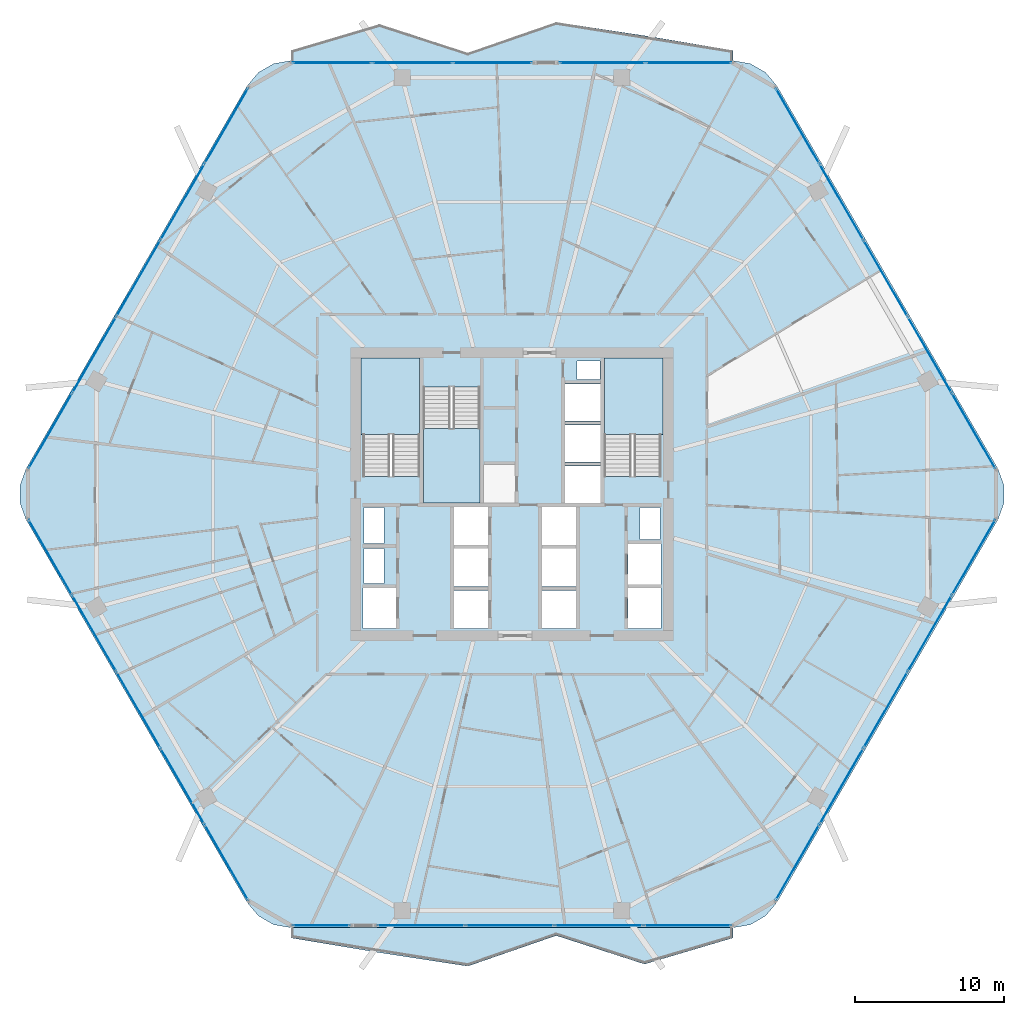
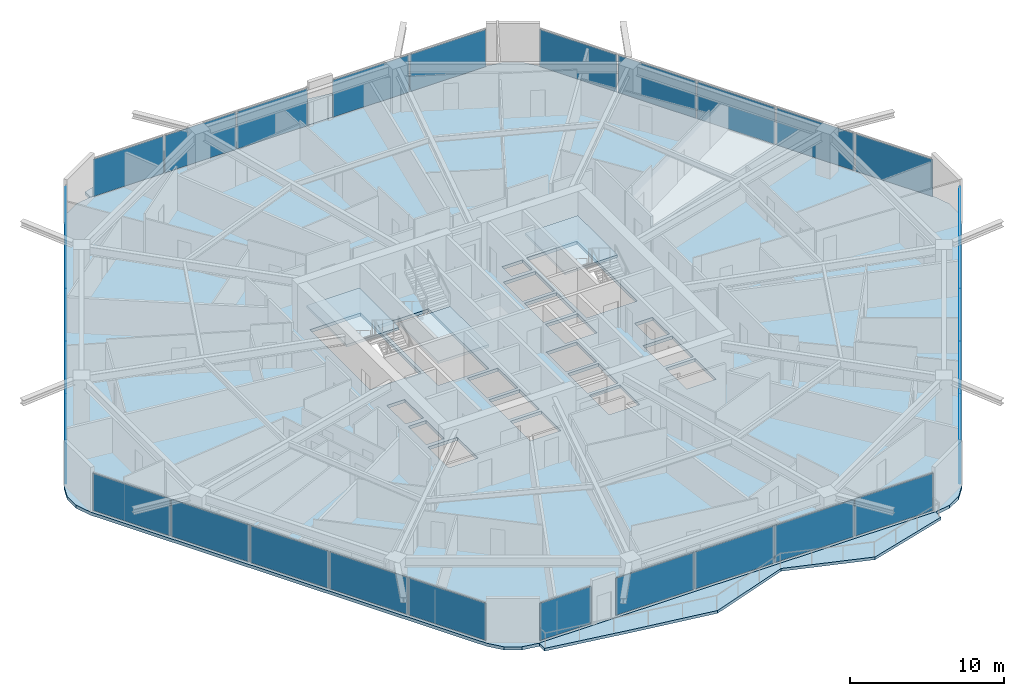
# One storey, part 23 of 33: 30 plates, 6 slabs, 11 elements without a shape of their own.
"""IFC4 building model written with IfcOpenShell, lengths in metres."""

from ifc_helpers import new_model, si_unit, direction, frame, origin, origin_2d, place, context, subcontext, project, spatial, polyline, rectangle, outline, extrude, material, layer, layer_set, type_object, element, aggregate, save


model = new_model("IFC4")

# Units and contexts
model_context = context("Model", 3, precision=1e-05, world=origin(), true_north=direction((0.0, 1.0)))
body_context = subcontext(model_context, "Body", "Model", "MODEL_VIEW")
ifc_project = project(units=[si_unit("LENGTHUNIT", "METRE"), si_unit("AREAUNIT", "SQUARE_METRE"), si_unit("VOLUMEUNIT", "CUBIC_METRE"), si_unit("PLANEANGLEUNIT", "RADIAN"), si_unit("MASSUNIT", "GRAM", prefix="KILO")], contexts=[model_context])

# Site, building, storey
site_placement = place(None, origin())
site = spatial("IfcSite", under=ifc_project, at=site_placement, CompositionType="ELEMENT")
building_placement = place(site_placement, origin())
building = spatial("IfcBuilding", under=site, at=building_placement, Name="Zuhravey Tower", CompositionType="ELEMENT")
storey_placement = place(building_placement, frame((0.0, 0.0, 103.800048828125)))
storey = spatial("IfcBuildingStorey", under=building, at=storey_placement, Name="L25", CompositionType="ELEMENT", Elevation=103.800048828125)

# Slabs
ifc_material_1 = material(Name="Concrete C50/60", Category="concrete")
ifc_layer_1 = layer(ifc_material_1, 0.25)
ifc_layer_set_1 = layer_set([ifc_layer_1], Name="Concrete C50/60")
slab_type_1 = type_object("IfcSlabType", Name="Residential Acoustic Slab 250", PredefinedType="FLOOR", material=ifc_layer_set_1)
slab_1_placement = place(storey_placement, frame((0.0, 0.0, -0.25)))
element("IfcSlab", 1, at=slab_1_placement, inside=storey, type_object=slab_type_1, Name="L25 Floor Slab FS25", PredefinedType="FLOOR", context=body_context, shape_type="SweptSolid", body=[
    extrude(outline(polyline([(68.618408203125, 30.300048828125), (69.0224609375, 31.40966796875), (69.0224609375, 32.59033203125), (68.618408203125, 33.699951171875), (53.781494140625, 59.3984375), (53.0224609375, 60.302978515625), (52.0, 60.893310546875), (50.8369140625, 61.098388671875), (21.1630859375, 61.098388671875), (20.0, 60.893310546875), (18.9775390625, 60.302978515625), (18.218505859375, 59.3984375), (3.381591796875, 33.699951171875), (2.9775390625, 32.59033203125), (2.9775390625, 31.40966796875), (3.381591796875, 30.300048828125), (18.218505859375, 4.6015625), (18.9775390625, 3.697021484375), (20.0, 3.106689453125), (21.1630859375, 2.901611328125), (50.8369140625, 2.901611328125), (52.0, 3.106689453125), (53.0224609375, 3.697021484375), (53.781494140625, 4.6015625), (68.618408203125, 30.300048828125)]), holes=[polyline([(29.800048828125, 33.20068359375), (29.800048828125, 41.0), (26.0, 41.0), (26.0, 33.20068359375), (29.800048828125, 33.20068359375)]), polyline([(46.0, 33.20068359375), (46.0, 41.0), (42.199951171875, 41.0), (42.199951171875, 33.20068359375), (46.0, 33.20068359375)]), polyline([(30.050048828125, 39.199462890625), (30.050048828125, 31.39990234375), (33.85009765625, 31.39990234375), (33.85009765625, 39.199462890625), (30.050048828125, 39.199462890625)]), polyline([(32.10009765625, 23.0), (34.39990234375, 23.0), (34.39990234375, 25.550048828125), (32.10009765625, 25.550048828125), (32.10009765625, 23.0)]), polyline([(32.10009765625, 25.800048828125), (34.39990234375, 25.800048828125), (34.39990234375, 28.35009765625), (32.10009765625, 28.35009765625), (32.10009765625, 25.800048828125)]), polyline([(32.10009765625, 28.60009765625), (34.39990234375, 28.60009765625), (34.39990234375, 31.14990234375), (32.10009765625, 31.14990234375), (32.10009765625, 28.60009765625)]), polyline([(38.0, 23.0), (40.300048828125, 23.0), (40.300048828125, 25.550048828125), (38.0, 25.550048828125), (38.0, 23.0)]), polyline([(38.0, 25.800048828125), (40.300048828125, 25.800048828125), (40.300048828125, 28.35009765625), (38.0, 28.35009765625), (38.0, 25.800048828125)]), polyline([(38.0, 28.60009765625), (40.300048828125, 28.60009765625), (40.300048828125, 31.14990234375), (38.0, 31.14990234375), (38.0, 28.60009765625)]), polyline([(39.550048828125, 31.39990234375), (41.949951171875, 31.39990234375), (41.949951171875, 33.89990234375), (39.550048828125, 33.89990234375), (39.550048828125, 31.39990234375)]), polyline([(39.550048828125, 34.14990234375), (41.949951171875, 34.14990234375), (41.949951171875, 36.64990234375), (39.550048828125, 36.64990234375), (39.550048828125, 34.14990234375)]), polyline([(39.550048828125, 36.89990234375), (41.949951171875, 36.89990234375), (41.949951171875, 39.39990234375), (39.550048828125, 39.39990234375), (39.550048828125, 36.89990234375)]), polyline([(26.0, 23.0), (28.199951171875, 23.0), (28.199951171875, 25.699951171875), (26.0, 25.699951171875), (26.0, 23.0)]), polyline([(43.800048828125, 23.0), (46.0, 23.0), (46.0, 25.699951171875), (43.800048828125, 25.699951171875), (43.800048828125, 23.0)]), polyline([(43.800048828125, 25.949951171875), (46.0, 25.949951171875), (46.0, 28.64990234375), (43.800048828125, 28.64990234375), (43.800048828125, 25.949951171875)]), polyline([(26.050048828125, 26.0), (27.39990234375, 26.0), (27.39990234375, 28.35009765625), (26.050048828125, 28.35009765625), (26.050048828125, 26.0)]), polyline([(26.050048828125, 28.699951171875), (27.39990234375, 28.699951171875), (27.39990234375, 31.10009765625), (26.050048828125, 31.10009765625), (26.050048828125, 28.699951171875)]), polyline([(44.60009765625, 28.949951171875), (45.949951171875, 28.949951171875), (45.949951171875, 31.10009765625), (44.60009765625, 31.10009765625), (44.60009765625, 28.949951171875)]), polyline([(40.35009765625, 39.699951171875), (41.89990234375, 39.699951171875), (41.89990234375, 40.949951171875), (40.35009765625, 40.949951171875), (40.35009765625, 39.699951171875)])]), origin(), (0.0, 0.0, 1.0), 0.25),
])
ifc_material_2 = material(Name="Concrete C40/50", Category="concrete")
ifc_layer_2 = layer(ifc_material_2, 0.219970703125)
ifc_layer_set_2 = layer_set([ifc_layer_2], Name="Concrete C40/50")
slab_type_2 = type_object("IfcSlabType", Name="Sinusoidal Residential Wave Balcony 220", PredefinedType="FLOOR", material=ifc_layer_set_2)
slab_2_placement = place(storey_placement, frame((0.0, 0.0, -0.219970703125)))
element("IfcSlab", 2, at=slab_2_placement, inside=storey, type_object=slab_type_2, Name="L25 Face 2 Wave Balcony WB22", PredefinedType="FLOOR", context=body_context, shape_type="SweptSolid", body=[
    extrude(outline(polyline([(50.828369140625, 61.08349609375), (21.171630859375, 61.08349609375), (21.171630859375, 61.783447265625), (27.10302734375, 63.543212890625), (33.0341796875, 61.62744140625), (38.9658203125, 63.681640625), (44.89697265625, 62.771728515625), (50.828369140625, 61.783447265625), (50.828369140625, 61.08349609375)])), origin(), (0.0, 0.0, 1.0), 0.219970703125),
])
slab_3_placement = place(storey_placement, frame((0.0, 0.0, -0.219970703125)))
element("IfcSlab", 3, at=slab_3_placement, inside=storey, type_object=slab_type_2, Name="L25 Face 5 Wave Balcony WB22", PredefinedType="FLOOR", context=body_context, shape_type="SweptSolid", body=[
    extrude(outline(polyline([(21.171630859375, 2.91650390625), (50.828369140625, 2.91650390625), (50.828369140625, 2.216552734375), (44.89697265625, 0.456787109375), (38.9658203125, 2.37255859375), (33.0341796875, 0.318359375), (27.10302734375, 1.228271484375), (21.171630859375, 2.216552734375), (21.171630859375, 2.91650390625)])), origin(), (0.0, 0.0, 1.0), 0.219970703125),
])

# Stair, slab
stair_type = type_object("IfcStairType", Name="Housing Storey Stair Assembly 3800", PredefinedType="HALF_TURN_STAIR", material=ifc_material_2)
stair_1_placement = place(storey_placement, origin())
stair_1 = element("IfcStair", 4, at=stair_1_placement, inside=storey, type_object=stair_type, Name="L25 Core Exit Stair ST1", PredefinedType="HALF_TURN_STAIR")
ifc_layer_3 = layer(ifc_material_2, 0.199951171875)
ifc_layer_set_3 = layer_set([ifc_layer_3], Name="Concrete C40/50")
slab_type_3 = type_object("IfcSlabType", Name="Stair Landing Slab 200", PredefinedType="LANDING", material=ifc_layer_set_3)
slab_4_placement = place(storey_placement, frame((0.0, 0.0, 1.699951171875)))
slab_4 = element("IfcSlab", 5, at=slab_4_placement, type_object=slab_type_3, Name="ST1 landing 1", PredefinedType="LANDING", context=body_context, shape_type="SweptSolid", body=[
    extrude(outline(polyline([(29.800048828125, 36.0), (29.800048828125, 41.14794921875), (25.85205078125, 41.14794921875), (25.85205078125, 36.0), (29.800048828125, 36.0)])), origin(), (0.0, 0.0, 1.0), 0.199951171875),
])
aggregate(stair_1, [slab_4])

stair_2_placement = place(storey_placement, origin())
stair_2 = element("IfcStair", 6, at=stair_2_placement, inside=storey, type_object=stair_type, Name="L25 Core Exit Stair ST2", PredefinedType="HALF_TURN_STAIR")
slab_5_placement = place(storey_placement, frame((0.0, 0.0, 1.699951171875)))
slab_5 = element("IfcSlab", 7, at=slab_5_placement, type_object=slab_type_3, Name="ST2 landing 1", PredefinedType="LANDING", context=body_context, shape_type="SweptSolid", body=[
    extrude(outline(polyline([(46.14794921875, 36.0), (46.14794921875, 41.14794921875), (42.199951171875, 41.14794921875), (42.199951171875, 36.0), (46.14794921875, 36.0)])), origin(), (0.0, 0.0, 1.0), 0.199951171875),
])
aggregate(stair_2, [slab_5])

stair_3_placement = place(storey_placement, origin())
stair_3 = element("IfcStair", 8, at=stair_3_placement, inside=storey, type_object=stair_type, Name="L25 Core Exit Stair ST3", PredefinedType="HALF_TURN_STAIR")
slab_6_placement = place(storey_placement, frame((0.0, 0.0, 1.699951171875)))
slab_6 = element("IfcSlab", 9, at=slab_6_placement, type_object=slab_type_3, Name="ST3 landing 1", PredefinedType="LANDING", context=body_context, shape_type="SweptSolid", body=[
    extrude(outline(polyline([(30.050048828125, 36.39990234375), (30.050048828125, 31.39990234375), (33.85009765625, 31.39990234375), (33.85009765625, 36.39990234375), (30.050048828125, 36.39990234375)])), origin(), (0.0, 0.0, 1.0), 0.199951171875),
])
aggregate(stair_3, [slab_6])

# Curtain wall, plates
ifc_material_3 = material(Name="Thermally broken anodised aluminium", Category="aluminium")
curtain_wall_type = type_object("IfcCurtainWallType", Name="Zone 1-2 Residential Curtain Wall CW3", PredefinedType="NOTDEFINED", material=ifc_material_3)
curtain_wall_1_placement = place(storey_placement, origin())
curtain_wall_1 = element("IfcCurtainWall", 10, at=curtain_wall_1_placement, inside=storey, type_object=curtain_wall_type, Name="L25 CW3 CW-L25-F6-1", PredefinedType="NOTDEFINED")
ifc_material_4 = material(Name="Triple low-E insulated vision glass", Category="glass")
ifc_layer_4 = layer(ifc_material_4, 0.0419921875)
ifc_layer_set_4 = layer_set([ifc_layer_4], Name="Triple low-E insulated vision glass")
plate_type = type_object("IfcPlateType", Name="Triple Low-E Vision Panel", PredefinedType="CURTAIN_PANEL", material=ifc_layer_set_4)
plate_1_placement = place(storey_placement, frame((66.9873046875, 27.754638671875, 0.090087890625), z_axis=(0.0, 0.0, 1.0), x_axis=(-0.499999794119, -0.86602552265, 0.0)))
plate_1 = element("IfcPlate", 11, at=plate_1_placement, type_object=plate_type, Name="CW3 panel 1.1", PredefinedType="CURTAIN_PANEL", context=body_context, shape_type="SweptSolid", body=[
    extrude(rectangle(XDim=5.784912109375, YDim=0.0419921875, at=origin_2d()), origin(), (0.0, 0.0, 1.0), 2.94189453125),
])
plate_2_placement = place(storey_placement, frame((64.03857421875, 22.6474609375, 0.090087890625), z_axis=(0.0, 0.0, 1.0), x_axis=(-0.499999794119, -0.86602552265, 0.0)))
plate_2 = element("IfcPlate", 12, at=plate_2_placement, type_object=plate_type, Name="CW3 panel 2.1", PredefinedType="CURTAIN_PANEL", context=body_context, shape_type="SweptSolid", body=[
    extrude(rectangle(XDim=5.829833984375, YDim=0.0419921875, at=origin_2d()), origin(), (0.0, 0.0, 1.0), 2.94189453125),
])
plate_3_placement = place(storey_placement, frame((61.078857421875, 17.520751953125, 0.090087890625), z_axis=(0.0, 0.0, 1.0), x_axis=(-0.499999794119, -0.86602552265, 0.0)))
plate_3 = element("IfcPlate", 13, at=plate_3_placement, type_object=plate_type, Name="CW3 panel 3.1", PredefinedType="CURTAIN_PANEL", context=body_context, shape_type="SweptSolid", body=[
    extrude(rectangle(XDim=5.829833984375, YDim=0.0419921875, at=origin_2d()), origin(), (0.0, 0.0, 1.0), 2.94189453125),
])
plate_4_placement = place(storey_placement, frame((58.118896484375, 12.39404296875, 0.090087890625), z_axis=(0.0, 0.0, 1.0), x_axis=(-0.499999794119, -0.86602552265, 0.0)))
plate_4 = element("IfcPlate", 14, at=plate_4_placement, type_object=plate_type, Name="CW3 panel 4.1", PredefinedType="CURTAIN_PANEL", context=body_context, shape_type="SweptSolid", body=[
    extrude(rectangle(XDim=5.829833984375, YDim=0.0419921875, at=origin_2d()), origin(), (0.0, 0.0, 1.0), 2.94189453125),
])
plate_5_placement = place(storey_placement, frame((55.170166015625, 7.286865234375, 0.090087890625), z_axis=(0.0, 0.0, 1.0), x_axis=(-0.499999794119, -0.86602552265, 0.0)))
plate_5 = element("IfcPlate", 15, at=plate_5_placement, type_object=plate_type, Name="CW3 panel 5.1", PredefinedType="CURTAIN_PANEL", context=body_context, shape_type="SweptSolid", body=[
    extrude(rectangle(XDim=5.784912109375, YDim=0.0419921875, at=origin_2d()), origin(), (0.0, 0.0, 1.0), 2.94189453125),
])
aggregate(curtain_wall_1, [plate_1, plate_2, plate_3, plate_4, plate_5])

curtain_wall_2_placement = place(storey_placement, origin())
curtain_wall_2 = element("IfcCurtainWall", 16, at=curtain_wall_2_placement, inside=storey, type_object=curtain_wall_type, Name="L25 CW3 CW-L25-F5-1", PredefinedType="NOTDEFINED")
plate_6_placement = place(storey_placement, frame((47.78759765625, 3.04150390625, 0.090087890625), z_axis=(0.0, 0.0, 1.0), x_axis=(-1.0, 0.0, 0.0)))
plate_6 = element("IfcPlate", 17, at=plate_6_placement, type_object=plate_type, Name="CW3 panel 1.1", PredefinedType="CURTAIN_PANEL", context=body_context, shape_type="SweptSolid", body=[
    extrude(rectangle(XDim=5.843505859375, YDim=0.0419921875, at=origin_2d()), origin(), (0.0, 0.0, 1.0), 2.94189453125),
])
plate_7_placement = place(storey_placement, frame((41.83154296875, 3.04150390625, 0.090087890625), z_axis=(0.0, 0.0, 1.0), x_axis=(-1.0, 0.0, 0.0)))
plate_7 = element("IfcPlate", 18, at=plate_7_placement, type_object=plate_type, Name="CW3 panel 2.1", PredefinedType="CURTAIN_PANEL", context=body_context, shape_type="SweptSolid", body=[
    extrude(rectangle(XDim=5.888671875, YDim=0.0419921875, at=origin_2d()), origin(), (0.0, 0.0, 1.0), 2.94189453125),
])
plate_8_placement = place(storey_placement, frame((35.85302734375, 3.04150390625, 0.090087890625), z_axis=(0.0, 0.0, 1.0), x_axis=(-1.0, 0.0, 0.0)))
plate_8 = element("IfcPlate", 19, at=plate_8_placement, type_object=plate_type, Name="CW3 panel 3.1", PredefinedType="CURTAIN_PANEL", context=body_context, shape_type="SweptSolid", body=[
    extrude(rectangle(XDim=5.888671875, YDim=0.0419921875, at=origin_2d()), origin(), (0.0, 0.0, 1.0), 2.94189453125),
])
plate_9_placement = place(storey_placement, frame((29.896728515625, 3.04150390625, 0.090087890625), z_axis=(0.0, 0.0, 1.0), x_axis=(-1.0, 0.0, 0.0)))
plate_9 = element("IfcPlate", 20, at=plate_9_placement, type_object=plate_type, Name="CW3 panel 4.1", PredefinedType="CURTAIN_PANEL", context=body_context, shape_type="SweptSolid", body=[
    extrude(rectangle(XDim=5.843505859375, YDim=0.0419921875, at=origin_2d()), origin(), (0.0, 0.0, 1.0), 2.94189453125),
])
aggregate(curtain_wall_2, [plate_6, plate_7, plate_8, plate_9])

# Curtain wall, plate
curtain_wall_3_placement = place(storey_placement, origin())
curtain_wall_3 = element("IfcCurtainWall", 21, at=curtain_wall_3_placement, inside=storey, type_object=curtain_wall_type, Name="L25 CW3 CW-L25-F5-2", PredefinedType="NOTDEFINED")
plate_10_placement = place(storey_placement, frame((23.19287109375, 3.04150390625, 0.090087890625), z_axis=(0.0, 0.0, 1.0), x_axis=(-1.0, 0.0, 0.0)))
plate_10 = element("IfcPlate", 22, at=plate_10_placement, type_object=plate_type, Name="CW3 panel 1.1", PredefinedType="CURTAIN_PANEL", context=body_context, shape_type="SweptSolid", body=[
    extrude(rectangle(XDim=3.804443359375, YDim=0.0419921875, at=origin_2d()), origin(), (0.0, 0.0, 1.0), 2.94189453125),
])
aggregate(curtain_wall_3, [plate_10])

# Curtain wall, plates
curtain_wall_4_placement = place(storey_placement, origin())
curtain_wall_4 = element("IfcCurtainWall", 23, at=curtain_wall_4_placement, inside=storey, type_object=curtain_wall_type, Name="L25 CW3 CW-L25-F4-1", PredefinedType="NOTDEFINED")
plate_11_placement = place(storey_placement, frame((16.829833984375, 7.286865234375, 0.090087890625), z_axis=(0.0, 0.0, 1.0), x_axis=(-0.499999794119, 0.86602552265, 0.0)))
plate_11 = element("IfcPlate", 24, at=plate_11_placement, type_object=plate_type, Name="CW3 panel 1.1", PredefinedType="CURTAIN_PANEL", context=body_context, shape_type="SweptSolid", body=[
    extrude(rectangle(XDim=5.784912109375, YDim=0.0419921875, at=origin_2d()), origin(), (0.0, 0.0, 1.0), 2.94189453125),
])
plate_12_placement = place(storey_placement, frame((13.881103515625, 12.39404296875, 0.090087890625), z_axis=(0.0, 0.0, 1.0), x_axis=(-0.499999794119, 0.86602552265, 0.0)))
plate_12 = element("IfcPlate", 25, at=plate_12_placement, type_object=plate_type, Name="CW3 panel 2.1", PredefinedType="CURTAIN_PANEL", context=body_context, shape_type="SweptSolid", body=[
    extrude(rectangle(XDim=5.829833984375, YDim=0.0419921875, at=origin_2d()), origin(), (0.0, 0.0, 1.0), 2.94189453125),
])
plate_13_placement = place(storey_placement, frame((10.921142578125, 17.520751953125, 0.090087890625), z_axis=(0.0, 0.0, 1.0), x_axis=(-0.499999794119, 0.86602552265, 0.0)))
plate_13 = element("IfcPlate", 26, at=plate_13_placement, type_object=plate_type, Name="CW3 panel 3.1", PredefinedType="CURTAIN_PANEL", context=body_context, shape_type="SweptSolid", body=[
    extrude(rectangle(XDim=5.829833984375, YDim=0.0419921875, at=origin_2d()), origin(), (0.0, 0.0, 1.0), 2.94189453125),
])
plate_14_placement = place(storey_placement, frame((7.96142578125, 22.6474609375, 0.090087890625), z_axis=(0.0, 0.0, 1.0), x_axis=(-0.499999794119, 0.86602552265, 0.0)))
plate_14 = element("IfcPlate", 27, at=plate_14_placement, type_object=plate_type, Name="CW3 panel 4.1", PredefinedType="CURTAIN_PANEL", context=body_context, shape_type="SweptSolid", body=[
    extrude(rectangle(XDim=5.829833984375, YDim=0.0419921875, at=origin_2d()), origin(), (0.0, 0.0, 1.0), 2.94189453125),
])
plate_15_placement = place(storey_placement, frame((5.0126953125, 27.754638671875, 0.090087890625), z_axis=(0.0, 0.0, 1.0), x_axis=(-0.499999794119, 0.86602552265, 0.0)))
plate_15 = element("IfcPlate", 28, at=plate_15_placement, type_object=plate_type, Name="CW3 panel 5.1", PredefinedType="CURTAIN_PANEL", context=body_context, shape_type="SweptSolid", body=[
    extrude(rectangle(XDim=5.784912109375, YDim=0.0419921875, at=origin_2d()), origin(), (0.0, 0.0, 1.0), 2.94189453125),
])
aggregate(curtain_wall_4, [plate_11, plate_12, plate_13, plate_14, plate_15])

curtain_wall_5_placement = place(storey_placement, origin())
curtain_wall_5 = element("IfcCurtainWall", 29, at=curtain_wall_5_placement, inside=storey, type_object=curtain_wall_type, Name="L25 CW3 CW-L25-F3-1", PredefinedType="NOTDEFINED")
plate_16_placement = place(storey_placement, frame((5.0126953125, 36.245361328125, 0.090087890625), z_axis=(0.0, 0.0, 1.0), x_axis=(0.499999794119, 0.86602552265, 0.0)))
plate_16 = element("IfcPlate", 30, at=plate_16_placement, type_object=plate_type, Name="CW3 panel 1.1", PredefinedType="CURTAIN_PANEL", context=body_context, shape_type="SweptSolid", body=[
    extrude(rectangle(XDim=5.784912109375, YDim=0.0419921875, at=origin_2d()), origin(), (0.0, 0.0, 1.0), 2.94189453125),
])
plate_17_placement = place(storey_placement, frame((7.96142578125, 41.3525390625, 0.090087890625), z_axis=(0.0, 0.0, 1.0), x_axis=(0.499999794119, 0.86602552265, 0.0)))
plate_17 = element("IfcPlate", 31, at=plate_17_placement, type_object=plate_type, Name="CW3 panel 2.1", PredefinedType="CURTAIN_PANEL", context=body_context, shape_type="SweptSolid", body=[
    extrude(rectangle(XDim=5.829833984375, YDim=0.0419921875, at=origin_2d()), origin(), (0.0, 0.0, 1.0), 2.94189453125),
])
plate_18_placement = place(storey_placement, frame((10.921142578125, 46.479248046875, 0.090087890625), z_axis=(0.0, 0.0, 1.0), x_axis=(0.499999794119, 0.86602552265, 0.0)))
plate_18 = element("IfcPlate", 32, at=plate_18_placement, type_object=plate_type, Name="CW3 panel 3.1", PredefinedType="CURTAIN_PANEL", context=body_context, shape_type="SweptSolid", body=[
    extrude(rectangle(XDim=5.829833984375, YDim=0.0419921875, at=origin_2d()), origin(), (0.0, 0.0, 1.0), 2.94189453125),
])
plate_19_placement = place(storey_placement, frame((13.881103515625, 51.60595703125, 0.090087890625), z_axis=(0.0, 0.0, 1.0), x_axis=(0.499999794119, 0.86602552265, 0.0)))
plate_19 = element("IfcPlate", 33, at=plate_19_placement, type_object=plate_type, Name="CW3 panel 4.1", PredefinedType="CURTAIN_PANEL", context=body_context, shape_type="SweptSolid", body=[
    extrude(rectangle(XDim=5.829833984375, YDim=0.0419921875, at=origin_2d()), origin(), (0.0, 0.0, 1.0), 2.94189453125),
])
plate_20_placement = place(storey_placement, frame((16.829833984375, 56.713134765625, 0.090087890625), z_axis=(0.0, 0.0, 1.0), x_axis=(0.499999794119, 0.86602552265, 0.0)))
plate_20 = element("IfcPlate", 34, at=plate_20_placement, type_object=plate_type, Name="CW3 panel 5.1", PredefinedType="CURTAIN_PANEL", context=body_context, shape_type="SweptSolid", body=[
    extrude(rectangle(XDim=5.784912109375, YDim=0.0419921875, at=origin_2d()), origin(), (0.0, 0.0, 1.0), 2.94189453125),
])
aggregate(curtain_wall_5, [plate_16, plate_17, plate_18, plate_19, plate_20])

curtain_wall_6_placement = place(storey_placement, origin())
curtain_wall_6 = element("IfcCurtainWall", 35, at=curtain_wall_6_placement, inside=storey, type_object=curtain_wall_type, Name="L25 CW3 CW-L25-F2-1", PredefinedType="NOTDEFINED")
plate_21_placement = place(storey_placement, frame((23.92724609375, 60.95849609375, 0.090087890625), z_axis=(0.0, 0.0, 1.0), x_axis=(1.0, 0.0, 0.0)))
plate_21 = element("IfcPlate", 36, at=plate_21_placement, type_object=plate_type, Name="CW3 panel 1.1", PredefinedType="CURTAIN_PANEL", context=body_context, shape_type="SweptSolid", body=[
    extrude(rectangle(XDim=5.2734375, YDim=0.0419921875, at=origin_2d()), origin(), (0.0, 0.0, 1.0), 2.94189453125),
])
plate_22_placement = place(storey_placement, frame((29.313232421875, 60.95849609375, 0.090087890625), z_axis=(0.0, 0.0, 1.0), x_axis=(1.0, 0.0, 0.0)))
plate_22 = element("IfcPlate", 37, at=plate_22_placement, type_object=plate_type, Name="CW3 panel 2.1", PredefinedType="CURTAIN_PANEL", context=body_context, shape_type="SweptSolid", body=[
    extrude(rectangle(XDim=5.318603515625, YDim=0.0419921875, at=origin_2d()), origin(), (0.0, 0.0, 1.0), 2.94189453125),
])
plate_23_placement = place(storey_placement, frame((34.69921875, 60.95849609375, 0.090087890625), z_axis=(0.0, 0.0, 1.0), x_axis=(1.0, 0.0, 0.0)))
plate_23 = element("IfcPlate", 38, at=plate_23_placement, type_object=plate_type, Name="CW3 panel 3.1", PredefinedType="CURTAIN_PANEL", context=body_context, shape_type="SweptSolid", body=[
    extrude(rectangle(XDim=5.2734375, YDim=0.0419921875, at=origin_2d()), origin(), (0.0, 0.0, 1.0), 2.94189453125),
])
aggregate(curtain_wall_6, [plate_21, plate_22, plate_23])

curtain_wall_7_placement = place(storey_placement, origin())
curtain_wall_7 = element("IfcCurtainWall", 39, at=curtain_wall_7_placement, inside=storey, type_object=curtain_wall_type, Name="L25 CW3 CW-L25-F2-2", PredefinedType="NOTDEFINED")
plate_24_placement = place(storey_placement, frame((42.06689453125, 60.95849609375, 0.090087890625), z_axis=(0.0, 0.0, 1.0), x_axis=(1.0, 0.0, 0.0)))
plate_24 = element("IfcPlate", 40, at=plate_24_placement, type_object=plate_type, Name="CW3 panel 1.1", PredefinedType="CURTAIN_PANEL", context=body_context, shape_type="SweptSolid", body=[
    extrude(rectangle(XDim=5.70166015625, YDim=0.0419921875, at=origin_2d()), origin(), (0.0, 0.0, 1.0), 2.94189453125),
])
plate_25_placement = place(storey_placement, frame((47.858642578125, 60.95849609375, 0.090087890625), z_axis=(0.0, 0.0, 1.0), x_axis=(1.0, 0.0, 0.0)))
plate_25 = element("IfcPlate", 41, at=plate_25_placement, type_object=plate_type, Name="CW3 panel 2.1", PredefinedType="CURTAIN_PANEL", context=body_context, shape_type="SweptSolid", body=[
    extrude(rectangle(XDim=5.70166015625, YDim=0.0419921875, at=origin_2d()), origin(), (0.0, 0.0, 1.0), 2.94189453125),
])
aggregate(curtain_wall_7, [plate_24, plate_25])

curtain_wall_8_placement = place(storey_placement, origin())
curtain_wall_8 = element("IfcCurtainWall", 42, at=curtain_wall_8_placement, inside=storey, type_object=curtain_wall_type, Name="L25 CW3 CW-L25-F1-1", PredefinedType="NOTDEFINED")
plate_26_placement = place(storey_placement, frame((55.170166015625, 56.713134765625, 0.090087890625), z_axis=(0.0, 0.0, 1.0), x_axis=(0.499999794119, -0.86602552265, 0.0)))
plate_26 = element("IfcPlate", 43, at=plate_26_placement, type_object=plate_type, Name="CW3 panel 1.1", PredefinedType="CURTAIN_PANEL", context=body_context, shape_type="SweptSolid", body=[
    extrude(rectangle(XDim=5.784912109375, YDim=0.0419921875, at=origin_2d()), origin(), (0.0, 0.0, 1.0), 2.94189453125),
])
plate_27_placement = place(storey_placement, frame((58.118896484375, 51.60595703125, 0.090087890625), z_axis=(0.0, 0.0, 1.0), x_axis=(0.499999794119, -0.86602552265, 0.0)))
plate_27 = element("IfcPlate", 44, at=plate_27_placement, type_object=plate_type, Name="CW3 panel 2.1", PredefinedType="CURTAIN_PANEL", context=body_context, shape_type="SweptSolid", body=[
    extrude(rectangle(XDim=5.829833984375, YDim=0.0419921875, at=origin_2d()), origin(), (0.0, 0.0, 1.0), 2.94189453125),
])
plate_28_placement = place(storey_placement, frame((61.078857421875, 46.479248046875, 0.090087890625), z_axis=(0.0, 0.0, 1.0), x_axis=(0.499999794119, -0.86602552265, 0.0)))
plate_28 = element("IfcPlate", 45, at=plate_28_placement, type_object=plate_type, Name="CW3 panel 3.1", PredefinedType="CURTAIN_PANEL", context=body_context, shape_type="SweptSolid", body=[
    extrude(rectangle(XDim=5.829833984375, YDim=0.0419921875, at=origin_2d()), origin(), (0.0, 0.0, 1.0), 2.94189453125),
])
plate_29_placement = place(storey_placement, frame((64.03857421875, 41.3525390625, 0.090087890625), z_axis=(0.0, 0.0, 1.0), x_axis=(0.499999794119, -0.86602552265, 0.0)))
plate_29 = element("IfcPlate", 46, at=plate_29_placement, type_object=plate_type, Name="CW3 panel 4.1", PredefinedType="CURTAIN_PANEL", context=body_context, shape_type="SweptSolid", body=[
    extrude(rectangle(XDim=5.829833984375, YDim=0.0419921875, at=origin_2d()), origin(), (0.0, 0.0, 1.0), 2.94189453125),
])
plate_30_placement = place(storey_placement, frame((66.9873046875, 36.245361328125, 0.090087890625), z_axis=(0.0, 0.0, 1.0), x_axis=(0.499999794119, -0.86602552265, 0.0)))
plate_30 = element("IfcPlate", 47, at=plate_30_placement, type_object=plate_type, Name="CW3 panel 5.1", PredefinedType="CURTAIN_PANEL", context=body_context, shape_type="SweptSolid", body=[
    extrude(rectangle(XDim=5.784912109375, YDim=0.0419921875, at=origin_2d()), origin(), (0.0, 0.0, 1.0), 2.94189453125),
])
aggregate(curtain_wall_8, [plate_26, plate_27, plate_28, plate_29, plate_30])

save(model, "model.ifc")
